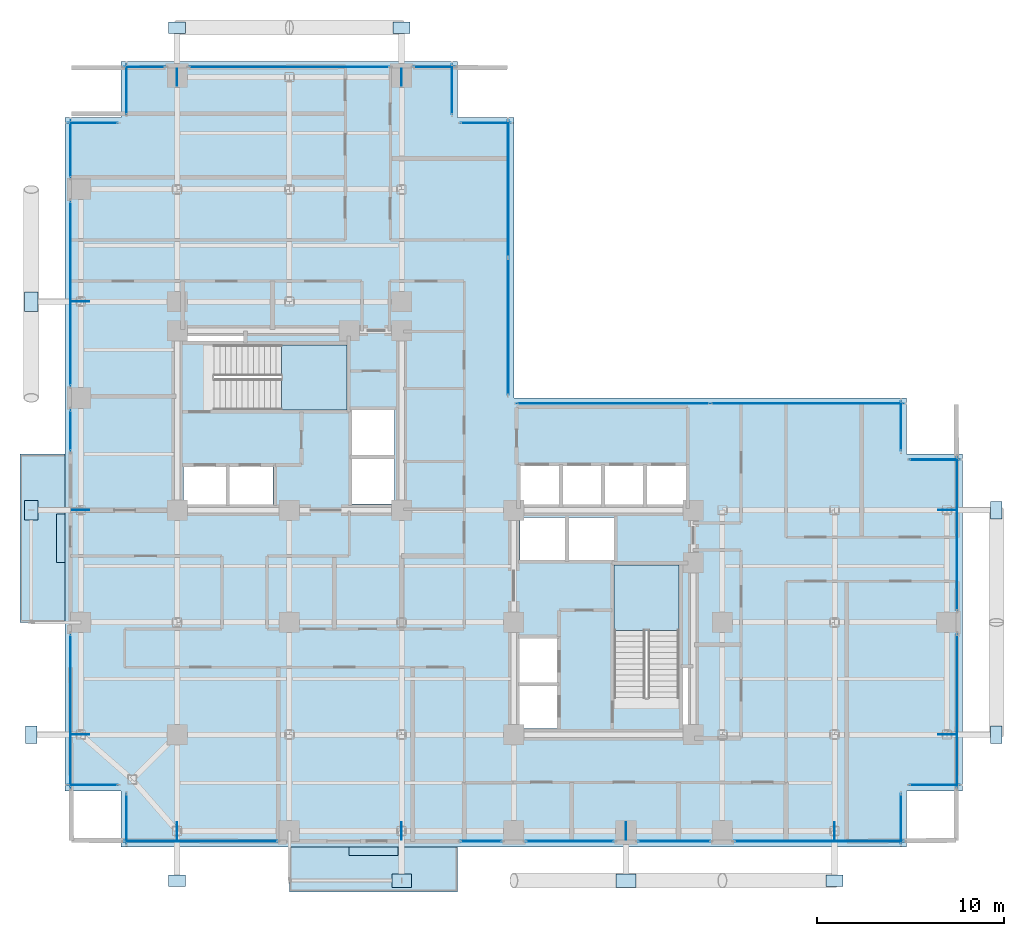
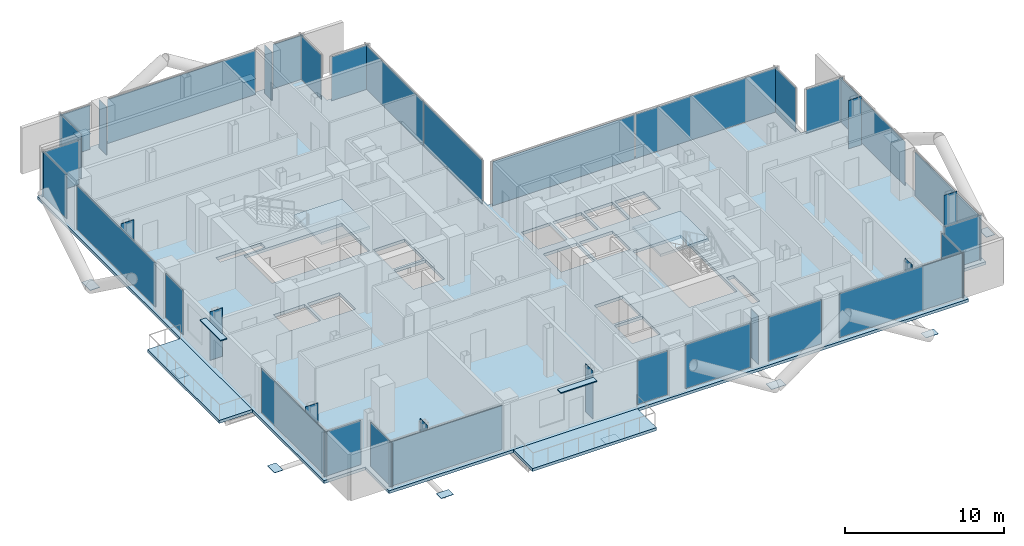
# One storey, part 17 of 24: 52 plates, 5 slabs, 28 elements without a shape of their own.
"""IFC4 building model written with IfcOpenShell, lengths in metres."""

from ifc_helpers import new_model, si_unit, direction, frame, origin, origin_2d, place, context, subcontext, project, spatial, polyline, rectangle, outline, extrude, material, layer, layer_set, type_object, element, aggregate, save


model = new_model("IFC4")

# Units and contexts
model_context = context("Model", 3, precision=1e-05, world=origin(), true_north=direction((0.0, 1.0)))
body_context = subcontext(model_context, "Body", "Model", "MODEL_VIEW")
ifc_project = project(units=[si_unit("LENGTHUNIT", "METRE"), si_unit("AREAUNIT", "SQUARE_METRE"), si_unit("VOLUMEUNIT", "CUBIC_METRE"), si_unit("PLANEANGLEUNIT", "RADIAN"), si_unit("MASSUNIT", "GRAM", prefix="KILO"), si_unit("THERMODYNAMICTEMPERATUREUNIT", "KELVIN"), si_unit("POWERUNIT", "WATT")], contexts=[model_context])

# Site, building, storey
site_placement = place(None, origin())
site = spatial("IfcSite", under=ifc_project, at=site_placement, CompositionType="ELEMENT")
building_placement = place(site_placement, origin())
building = spatial("IfcBuilding", under=site, at=building_placement, Name="Svarakhadi Broadcast Tower", CompositionType="ELEMENT")
storey_placement = place(building_placement, frame((0.0, 0.0, 126.89990234375)))
storey = spatial("IfcBuildingStorey", under=building, at=storey_placement, Name="L30", CompositionType="ELEMENT", Elevation=126.89990234375)

# Curtain wall, plate
ifc_material_1 = material(Name="Anodised Bronze Aluminium AA 6063-T6", Category="aluminium")
ifc_layer_1 = layer(ifc_material_1, 0.199951171875)
ifc_layer_set_1 = layer_set([ifc_layer_1], Name="Anodised Bronze Aluminium AA 6063-T6")
curtain_wall_type = type_object("IfcCurtainWallType", Name="CW_Sys_03", PredefinedType="NOTDEFINED", material=ifc_layer_set_1)
curtain_wall_1_placement = place(storey_placement, origin())
curtain_wall_1 = element("IfcCurtainWall", 1, at=curtain_wall_1_placement, inside=storey, type_object=curtain_wall_type, Name="L30 Unitised Facade Curtain Wall 01", PredefinedType="NOTDEFINED")
ifc_material_2 = material(Name="Double Low-E Laminated Acoustic Glass IGU 36 mm", Category="glass")
ifc_layer_2 = layer(ifc_material_2, 0.035888671875)
ifc_layer_set_2 = layer_set([ifc_layer_2], Name="Double Low-E Laminated Acoustic Glass IGU 36 mm")
plate_type_1 = type_object("IfcPlateType", Name="CW_Sys_03_Pnl", PredefinedType="CURTAIN_PANEL", material=ifc_layer_set_2)
plate_1_placement = place(storey_placement, frame((1.5, 3.300048828125, 0.0703125), z_axis=(0.0, 0.0, 1.0), x_axis=(-1.0, 0.0, 0.0)))
plate_1 = element("IfcPlate", 2, at=plate_1_placement, type_object=plate_type_1, Name="CW-03 panel 1.1", PredefinedType="CURTAIN_PANEL", context=body_context, shape_type="SweptSolid", body=[
    extrude(rectangle(XDim=2.669921875, YDim=0.035888671875, at=origin_2d()), origin(), (0.0, 0.0, 1.0), 3.385009765625),
])
aggregate(curtain_wall_1, [plate_1])

curtain_wall_2_placement = place(storey_placement, origin())
curtain_wall_2 = element("IfcCurtainWall", 3, at=curtain_wall_2_placement, inside=storey, type_object=curtain_wall_type, Name="L30 West Curtain Wall 02", PredefinedType="NOTDEFINED")
plate_2_placement = place(storey_placement, frame((0.300048828125, 7.260009765625, 0.0703125), z_axis=(0.0, 0.0, 1.0), x_axis=(0.0, 1.0, 0.0)))
plate_2 = element("IfcPlate", 4, at=plate_2_placement, type_object=plate_type_1, Name="CW-03 panel 1.1", PredefinedType="CURTAIN_PANEL", context=body_context, shape_type="SweptSolid", body=[
    extrude(rectangle(XDim=8.18994140625, YDim=0.035888671875, at=origin_2d()), origin(), (0.0, 0.0, 1.0), 3.385009765625),
])
aggregate(curtain_wall_2, [plate_2])

curtain_wall_3_placement = place(storey_placement, origin())
curtain_wall_3 = element("IfcCurtainWall", 5, at=curtain_wall_3_placement, inside=storey, type_object=curtain_wall_type, Name="L30 West Curtain Wall 03 Bay 1", PredefinedType="NOTDEFINED")
plate_3_placement = place(storey_placement, frame((0.300048828125, 22.260009765625, 0.0703125), z_axis=(0.0, 0.0, 1.0), x_axis=(0.0, 1.0, 0.0)))
plate_3 = element("IfcPlate", 6, at=plate_3_placement, type_object=plate_type_1, Name="CW-03 panel 1.1", PredefinedType="CURTAIN_PANEL", context=body_context, shape_type="SweptSolid", body=[
    extrude(rectangle(XDim=2.18994140625, YDim=0.035888671875, at=origin_2d()), origin(), (0.0, 0.0, 1.0), 3.385009765625),
])
aggregate(curtain_wall_3, [plate_3])

curtain_wall_4_placement = place(storey_placement, origin())
curtain_wall_4 = element("IfcCurtainWall", 7, at=curtain_wall_4_placement, inside=storey, type_object=curtain_wall_type, Name="L30 West Curtain Wall 03 Bay 2", PredefinedType="NOTDEFINED")
plate_4_placement = place(storey_placement, frame((0.300048828125, 29.574951171875, 0.0703125), z_axis=(0.0, 0.0, 1.0), x_axis=(0.0, 1.0, 0.0)))
plate_4 = element("IfcPlate", 8, at=plate_4_placement, type_object=plate_type_1, Name="CW-03 panel 1.1", PredefinedType="CURTAIN_PANEL", context=body_context, shape_type="SweptSolid", body=[
    extrude(rectangle(XDim=9.860107421875, YDim=0.035888671875, at=origin_2d()), origin(), (0.0, 0.0, 1.0), 3.385009765625),
])
aggregate(curtain_wall_4, [plate_4])

curtain_wall_5_placement = place(storey_placement, origin())
curtain_wall_5 = element("IfcCurtainWall", 9, at=curtain_wall_5_placement, inside=storey, type_object=curtain_wall_type, Name="L30 West Curtain Wall 03 Bay 3", PredefinedType="NOTDEFINED")
plate_5_placement = place(storey_placement, frame((0.300048828125, 37.31494140625, 0.0703125), z_axis=(0.0, 0.0, 1.0), x_axis=(0.0, 1.0, 0.0)))
plate_5 = element("IfcPlate", 10, at=plate_5_placement, type_object=plate_type_1, Name="CW-03 panel 1.1", PredefinedType="CURTAIN_PANEL", context=body_context, shape_type="SweptSolid", body=[
    extrude(rectangle(XDim=3.0400390625, YDim=0.035888671875, at=origin_2d()), origin(), (0.0, 0.0, 1.0), 3.385009765625),
])
aggregate(curtain_wall_5, [plate_5])

curtain_wall_6_placement = place(storey_placement, origin())
curtain_wall_6 = element("IfcCurtainWall", 11, at=curtain_wall_6_placement, inside=storey, type_object=curtain_wall_type, Name="L30 Unitised Facade Curtain Wall 04", PredefinedType="NOTDEFINED")
plate_6_placement = place(storey_placement, frame((1.5, 38.699951171875, 0.0703125), z_axis=(0.0, 0.0, 1.0), x_axis=(1.0, 0.0, 0.0)))
plate_6 = element("IfcPlate", 12, at=plate_6_placement, type_object=plate_type_1, Name="CW-03 panel 1.1", PredefinedType="CURTAIN_PANEL", context=body_context, shape_type="SweptSolid", body=[
    extrude(rectangle(XDim=2.669921875, YDim=0.035888671875, at=origin_2d()), origin(), (0.0, 0.0, 1.0), 3.385009765625),
])
aggregate(curtain_wall_6, [plate_6])

curtain_wall_7_placement = place(storey_placement, origin())
curtain_wall_7 = element("IfcCurtainWall", 13, at=curtain_wall_7_placement, inside=storey, type_object=curtain_wall_type, Name="L30 Unitised Facade Curtain Wall 05", PredefinedType="NOTDEFINED")
plate_7_placement = place(storey_placement, frame((3.300048828125, 40.5, 0.0703125), z_axis=(0.0, 0.0, 1.0), x_axis=(0.0, 1.0, 0.0)))
plate_7 = element("IfcPlate", 14, at=plate_7_placement, type_object=plate_type_1, Name="CW-03 panel 1.1", PredefinedType="CURTAIN_PANEL", context=body_context, shape_type="SweptSolid", body=[
    extrude(rectangle(XDim=2.669921875, YDim=0.035888671875, at=origin_2d()), origin(), (0.0, 0.0, 1.0), 3.385009765625),
])
aggregate(curtain_wall_7, [plate_7])

curtain_wall_8_placement = place(storey_placement, origin())
curtain_wall_8 = element("IfcCurtainWall", 15, at=curtain_wall_8_placement, inside=storey, type_object=curtain_wall_type, Name="L30 Unitised Facade Curtain Wall 06 Bay 1", PredefinedType="NOTDEFINED")
plate_8_placement = place(storey_placement, frame((4.260009765625, 41.699951171875, 0.0703125), z_axis=(0.0, 0.0, 1.0), x_axis=(1.0, 0.0, 0.0)))
plate_8 = element("IfcPlate", 16, at=plate_8_placement, type_object=plate_type_1, Name="CW-03 panel 1.1", PredefinedType="CURTAIN_PANEL", context=body_context, shape_type="SweptSolid", body=[
    extrude(rectangle(XDim=2.18994140625, YDim=0.035888671875, at=origin_2d()), origin(), (0.0, 0.0, 1.0), 3.385009765625),
])
aggregate(curtain_wall_8, [plate_8])

curtain_wall_9_placement = place(storey_placement, origin())
curtain_wall_9 = element("IfcCurtainWall", 17, at=curtain_wall_9_placement, inside=storey, type_object=curtain_wall_type, Name="L30 Unitised Facade Curtain Wall 06 Bay 2", PredefinedType="NOTDEFINED")
plate_9_placement = place(storey_placement, frame((12.0, 41.699951171875, 0.0703125), z_axis=(0.0, 0.0, 1.0), x_axis=(1.0, 0.0, 0.0)))
plate_9 = element("IfcPlate", 18, at=plate_9_placement, type_object=plate_type_1, Name="CW-03 panel 1.1", PredefinedType="CURTAIN_PANEL", context=body_context, shape_type="SweptSolid", body=[
    extrude(rectangle(XDim=10.7099609375, YDim=0.035888671875, at=origin_2d()), origin(), (0.0, 0.0, 1.0), 3.385009765625),
])
aggregate(curtain_wall_9, [plate_9])

curtain_wall_10_placement = place(storey_placement, origin())
curtain_wall_10 = element("IfcCurtainWall", 19, at=curtain_wall_10_placement, inside=storey, type_object=curtain_wall_type, Name="L30 Unitised Facade Curtain Wall 06 Bay 3", PredefinedType="NOTDEFINED")
plate_10_placement = place(storey_placement, frame((19.739990234375, 41.699951171875, 0.0703125), z_axis=(0.0, 0.0, 1.0), x_axis=(1.0, 0.0, 0.0)))
plate_10 = element("IfcPlate", 20, at=plate_10_placement, type_object=plate_type_1, Name="CW-03 panel 1.1", PredefinedType="CURTAIN_PANEL", context=body_context, shape_type="SweptSolid", body=[
    extrude(rectangle(XDim=2.18994140625, YDim=0.035888671875, at=origin_2d()), origin(), (0.0, 0.0, 1.0), 3.385009765625),
])
aggregate(curtain_wall_10, [plate_10])

curtain_wall_11_placement = place(storey_placement, origin())
curtain_wall_11 = element("IfcCurtainWall", 21, at=curtain_wall_11_placement, inside=storey, type_object=curtain_wall_type, Name="L30 Unitised Facade Curtain Wall 07", PredefinedType="NOTDEFINED")
plate_11_placement = place(storey_placement, frame((20.699951171875, 40.5, 0.0703125), z_axis=(0.0, 0.0, 1.0), x_axis=(0.0, -1.0, 0.0)))
plate_11 = element("IfcPlate", 22, at=plate_11_placement, type_object=plate_type_1, Name="CW-03 panel 1.1", PredefinedType="CURTAIN_PANEL", context=body_context, shape_type="SweptSolid", body=[
    extrude(rectangle(XDim=2.669921875, YDim=0.035888671875, at=origin_2d()), origin(), (0.0, 0.0, 1.0), 3.385009765625),
])
aggregate(curtain_wall_11, [plate_11])

curtain_wall_12_placement = place(storey_placement, origin())
curtain_wall_12 = element("IfcCurtainWall", 23, at=curtain_wall_12_placement, inside=storey, type_object=curtain_wall_type, Name="L30 Unitised Facade Curtain Wall 08", PredefinedType="NOTDEFINED")
plate_12_placement = place(storey_placement, frame((22.5, 38.699951171875, 0.0703125), z_axis=(0.0, 0.0, 1.0), x_axis=(1.0, 0.0, 0.0)))
plate_12 = element("IfcPlate", 24, at=plate_12_placement, type_object=plate_type_1, Name="CW-03 panel 1.1", PredefinedType="CURTAIN_PANEL", context=body_context, shape_type="SweptSolid", body=[
    extrude(rectangle(XDim=2.669921875, YDim=0.035888671875, at=origin_2d()), origin(), (0.0, 0.0, 1.0), 3.385009765625),
])
aggregate(curtain_wall_12, [plate_12])

# Curtain wall, plates
curtain_wall_13_placement = place(storey_placement, origin())
curtain_wall_13 = element("IfcCurtainWall", 25, at=curtain_wall_13_placement, inside=storey, type_object=curtain_wall_type, Name="L30 Unitised Facade Curtain Wall 09", PredefinedType="NOTDEFINED")
plate_13_placement = place(storey_placement, frame((23.699951171875, 35.186279296875, 0.0703125), z_axis=(0.0, 0.0, 1.0), x_axis=(0.0, -1.0, 0.0)))
plate_13 = element("IfcPlate", 26, at=plate_13_placement, type_object=plate_type_1, Name="CW-03 panel 1.1", PredefinedType="CURTAIN_PANEL", context=body_context, shape_type="SweptSolid", body=[
    extrude(rectangle(XDim=7.297607421875, YDim=0.035888671875, at=origin_2d()), origin(), (0.0, 0.0, 1.0), 3.385009765625),
])
plate_14_placement = place(storey_placement, frame((23.699951171875, 27.813720703125, 0.0703125), z_axis=(0.0, 0.0, 1.0), x_axis=(0.0, -1.0, 0.0)))
plate_14 = element("IfcPlate", 27, at=plate_14_placement, type_object=plate_type_1, Name="CW-03 panel 2.1", PredefinedType="CURTAIN_PANEL", context=body_context, shape_type="SweptSolid", body=[
    extrude(rectangle(XDim=7.297607421875, YDim=0.035888671875, at=origin_2d()), origin(), (0.0, 0.0, 1.0), 3.385009765625),
])
aggregate(curtain_wall_13, [plate_13, plate_14])

curtain_wall_14_placement = place(storey_placement, origin())
curtain_wall_14 = element("IfcCurtainWall", 28, at=curtain_wall_14_placement, inside=storey, type_object=curtain_wall_type, Name="L30 Unitised Facade Curtain Wall 10", PredefinedType="NOTDEFINED")
plate_15_placement = place(storey_placement, frame((29.313720703125, 23.699951171875, 0.0703125), z_axis=(0.0, 0.0, 1.0), x_axis=(1.0, 0.0, 0.0)))
plate_15 = element("IfcPlate", 29, at=plate_15_placement, type_object=plate_type_1, Name="CW-03 panel 1.1", PredefinedType="CURTAIN_PANEL", context=body_context, shape_type="SweptSolid", body=[
    extrude(rectangle(XDim=10.297607421875, YDim=0.035888671875, at=origin_2d()), origin(), (0.0, 0.0, 1.0), 3.385009765625),
])
plate_16_placement = place(storey_placement, frame((39.686279296875, 23.699951171875, 0.0703125), z_axis=(0.0, 0.0, 1.0), x_axis=(1.0, 0.0, 0.0)))
plate_16 = element("IfcPlate", 30, at=plate_16_placement, type_object=plate_type_1, Name="CW-03 panel 2.1", PredefinedType="CURTAIN_PANEL", context=body_context, shape_type="SweptSolid", body=[
    extrude(rectangle(XDim=10.297607421875, YDim=0.035888671875, at=origin_2d()), origin(), (0.0, 0.0, 1.0), 3.385009765625),
])
aggregate(curtain_wall_14, [plate_15, plate_16])

# Curtain wall, plate
curtain_wall_15_placement = place(storey_placement, origin())
curtain_wall_15 = element("IfcCurtainWall", 31, at=curtain_wall_15_placement, inside=storey, type_object=curtain_wall_type, Name="L30 Unitised Facade Curtain Wall 11", PredefinedType="NOTDEFINED")
plate_17_placement = place(storey_placement, frame((44.699951171875, 22.5, 0.0703125), z_axis=(0.0, 0.0, 1.0), x_axis=(0.0, -1.0, 0.0)))
plate_17 = element("IfcPlate", 32, at=plate_17_placement, type_object=plate_type_1, Name="CW-03 panel 1.1", PredefinedType="CURTAIN_PANEL", context=body_context, shape_type="SweptSolid", body=[
    extrude(rectangle(XDim=2.669921875, YDim=0.035888671875, at=origin_2d()), origin(), (0.0, 0.0, 1.0), 3.385009765625),
])
aggregate(curtain_wall_15, [plate_17])

curtain_wall_16_placement = place(storey_placement, origin())
curtain_wall_16 = element("IfcCurtainWall", 33, at=curtain_wall_16_placement, inside=storey, type_object=curtain_wall_type, Name="L30 Unitised Facade Curtain Wall 12", PredefinedType="NOTDEFINED")
plate_18_placement = place(storey_placement, frame((46.5, 20.699951171875, 0.0703125), z_axis=(0.0, 0.0, 1.0), x_axis=(1.0, 0.0, 0.0)))
plate_18 = element("IfcPlate", 34, at=plate_18_placement, type_object=plate_type_1, Name="CW-03 panel 1.1", PredefinedType="CURTAIN_PANEL", context=body_context, shape_type="SweptSolid", body=[
    extrude(rectangle(XDim=2.669921875, YDim=0.035888671875, at=origin_2d()), origin(), (0.0, 0.0, 1.0), 3.385009765625),
])
aggregate(curtain_wall_16, [plate_18])

curtain_wall_17_placement = place(storey_placement, origin())
curtain_wall_17 = element("IfcCurtainWall", 35, at=curtain_wall_17_placement, inside=storey, type_object=curtain_wall_type, Name="L30 Unitised Facade Curtain Wall 13 Bay 1", PredefinedType="NOTDEFINED")
plate_19_placement = place(storey_placement, frame((47.699951171875, 16.739990234375, 0.0703125), z_axis=(0.0, 0.0, 1.0), x_axis=(0.0, -1.0, 0.0)))
plate_19 = element("IfcPlate", 36, at=plate_19_placement, type_object=plate_type_1, Name="CW-03 panel 1.1", PredefinedType="CURTAIN_PANEL", context=body_context, shape_type="SweptSolid", body=[
    extrude(rectangle(XDim=8.18994140625, YDim=0.035888671875, at=origin_2d()), origin(), (0.0, 0.0, 1.0), 3.385009765625),
])
aggregate(curtain_wall_17, [plate_19])

curtain_wall_18_placement = place(storey_placement, origin())
curtain_wall_18 = element("IfcCurtainWall", 37, at=curtain_wall_18_placement, inside=storey, type_object=curtain_wall_type, Name="L30 Unitised Facade Curtain Wall 13 Bay 2", PredefinedType="NOTDEFINED")
plate_20_placement = place(storey_placement, frame((47.699951171875, 7.260009765625, 0.0703125), z_axis=(0.0, 0.0, 1.0), x_axis=(0.0, -1.0, 0.0)))
plate_20 = element("IfcPlate", 38, at=plate_20_placement, type_object=plate_type_1, Name="CW-03 panel 1.1", PredefinedType="CURTAIN_PANEL", context=body_context, shape_type="SweptSolid", body=[
    extrude(rectangle(XDim=8.18994140625, YDim=0.035888671875, at=origin_2d()), origin(), (0.0, 0.0, 1.0), 3.385009765625),
])
aggregate(curtain_wall_18, [plate_20])

curtain_wall_19_placement = place(storey_placement, origin())
curtain_wall_19 = element("IfcCurtainWall", 39, at=curtain_wall_19_placement, inside=storey, type_object=curtain_wall_type, Name="L30 Unitised Facade Curtain Wall 14", PredefinedType="NOTDEFINED")
plate_21_placement = place(storey_placement, frame((46.5, 3.300048828125, 0.0703125), z_axis=(0.0, 0.0, 1.0), x_axis=(-1.0, 0.0, 0.0)))
plate_21 = element("IfcPlate", 40, at=plate_21_placement, type_object=plate_type_1, Name="CW-03 panel 1.1", PredefinedType="CURTAIN_PANEL", context=body_context, shape_type="SweptSolid", body=[
    extrude(rectangle(XDim=2.669921875, YDim=0.035888671875, at=origin_2d()), origin(), (0.0, 0.0, 1.0), 3.385009765625),
])
aggregate(curtain_wall_19, [plate_21])

curtain_wall_20_placement = place(storey_placement, origin())
curtain_wall_20 = element("IfcCurtainWall", 41, at=curtain_wall_20_placement, inside=storey, type_object=curtain_wall_type, Name="L30 Unitised Facade Curtain Wall 15", PredefinedType="NOTDEFINED")
plate_22_placement = place(storey_placement, frame((44.699951171875, 1.5, 0.0703125), z_axis=(0.0, 0.0, 1.0), x_axis=(0.0, -1.0, 0.0)))
plate_22 = element("IfcPlate", 42, at=plate_22_placement, type_object=plate_type_1, Name="CW-03 panel 1.1", PredefinedType="CURTAIN_PANEL", context=body_context, shape_type="SweptSolid", body=[
    extrude(rectangle(XDim=2.669921875, YDim=0.035888671875, at=origin_2d()), origin(), (0.0, 0.0, 1.0), 3.385009765625),
])
aggregate(curtain_wall_20, [plate_22])

curtain_wall_21_placement = place(storey_placement, origin())
curtain_wall_21 = element("IfcCurtainWall", 43, at=curtain_wall_21_placement, inside=storey, type_object=curtain_wall_type, Name="L30 South Curtain Wall 16 Bay 1", PredefinedType="NOTDEFINED")
plate_23_placement = place(storey_placement, frame((40.31494140625, 0.300048828125, 0.0703125), z_axis=(0.0, 0.0, 1.0), x_axis=(-1.0, 0.0, 0.0)))
plate_23 = element("IfcPlate", 44, at=plate_23_placement, type_object=plate_type_1, Name="CW-03 panel 1.1", PredefinedType="CURTAIN_PANEL", context=body_context, shape_type="SweptSolid", body=[
    extrude(rectangle(XDim=9.0400390625, YDim=0.035888671875, at=origin_2d()), origin(), (0.0, 0.0, 1.0), 3.385009765625),
])
aggregate(curtain_wall_21, [plate_23])

curtain_wall_22_placement = place(storey_placement, origin())
curtain_wall_22 = element("IfcCurtainWall", 45, at=curtain_wall_22_placement, inside=storey, type_object=curtain_wall_type, Name="L30 South Curtain Wall 16 Bay 2", PredefinedType="NOTDEFINED")
plate_24_placement = place(storey_placement, frame((32.574951171875, 0.300048828125, 0.0703125), z_axis=(0.0, 0.0, 1.0), x_axis=(-1.0, 0.0, 0.0)))
plate_24 = element("IfcPlate", 46, at=plate_24_placement, type_object=plate_type_1, Name="CW-03 panel 1.1", PredefinedType="CURTAIN_PANEL", context=body_context, shape_type="SweptSolid", body=[
    extrude(rectangle(XDim=3.860107421875, YDim=0.035888671875, at=origin_2d()), origin(), (0.0, 0.0, 1.0), 3.385009765625),
])
aggregate(curtain_wall_22, [plate_24])

curtain_wall_23_placement = place(storey_placement, origin())
curtain_wall_23 = element("IfcCurtainWall", 47, at=curtain_wall_23_placement, inside=storey, type_object=curtain_wall_type, Name="L30 South Curtain Wall 16 Bay 3", PredefinedType="NOTDEFINED")
plate_25_placement = place(storey_placement, frame((27.0, 0.300048828125, 0.0703125), z_axis=(0.0, 0.0, 1.0), x_axis=(-1.0, 0.0, 0.0)))
plate_25 = element("IfcPlate", 48, at=plate_25_placement, type_object=plate_type_1, Name="CW-03 panel 1.1", PredefinedType="CURTAIN_PANEL", context=body_context, shape_type="SweptSolid", body=[
    extrude(rectangle(XDim=4.7099609375, YDim=0.035888671875, at=origin_2d()), origin(), (0.0, 0.0, 1.0), 3.385009765625),
])
aggregate(curtain_wall_23, [plate_25])

curtain_wall_24_placement = place(storey_placement, origin())
curtain_wall_24 = element("IfcCurtainWall", 49, at=curtain_wall_24_placement, inside=storey, type_object=curtain_wall_type, Name="L30 South Curtain Wall 16 Bay 4", PredefinedType="NOTDEFINED")
plate_26_placement = place(storey_placement, frame((22.260009765625, 0.300048828125, 0.0703125), z_axis=(0.0, 0.0, 1.0), x_axis=(-1.0, 0.0, 0.0)))
plate_26 = element("IfcPlate", 50, at=plate_26_placement, type_object=plate_type_1, Name="CW-03 panel 1.1", PredefinedType="CURTAIN_PANEL", context=body_context, shape_type="SweptSolid", body=[
    extrude(rectangle(XDim=2.18994140625, YDim=0.035888671875, at=origin_2d()), origin(), (0.0, 0.0, 1.0), 3.385009765625),
])
aggregate(curtain_wall_24, [plate_26])

curtain_wall_25_placement = place(storey_placement, origin())
curtain_wall_25 = element("IfcCurtainWall", 51, at=curtain_wall_25_placement, inside=storey, type_object=curtain_wall_type, Name="L30 South Curtain Wall 17", PredefinedType="NOTDEFINED")
plate_27_placement = place(storey_placement, frame((7.260009765625, 0.300048828125, 0.0703125), z_axis=(0.0, 0.0, 1.0), x_axis=(-1.0, 0.0, 0.0)))
plate_27 = element("IfcPlate", 52, at=plate_27_placement, type_object=plate_type_1, Name="CW-03 panel 1.1", PredefinedType="CURTAIN_PANEL", context=body_context, shape_type="SweptSolid", body=[
    extrude(rectangle(XDim=8.18994140625, YDim=0.035888671875, at=origin_2d()), origin(), (0.0, 0.0, 1.0), 3.385009765625),
])
aggregate(curtain_wall_25, [plate_27])

curtain_wall_26_placement = place(storey_placement, origin())
curtain_wall_26 = element("IfcCurtainWall", 53, at=curtain_wall_26_placement, inside=storey, type_object=curtain_wall_type, Name="L30 Unitised Facade Curtain Wall 18", PredefinedType="NOTDEFINED")
plate_28_placement = place(storey_placement, frame((3.300048828125, 1.5, 0.0703125), z_axis=(0.0, 0.0, 1.0), x_axis=(0.0, 1.0, 0.0)))
plate_28 = element("IfcPlate", 54, at=plate_28_placement, type_object=plate_type_1, Name="CW-03 panel 1.1", PredefinedType="CURTAIN_PANEL", context=body_context, shape_type="SweptSolid", body=[
    extrude(rectangle(XDim=2.669921875, YDim=0.035888671875, at=origin_2d()), origin(), (0.0, 0.0, 1.0), 3.385009765625),
])
aggregate(curtain_wall_26, [plate_28])

# Plates
ifc_material_3 = material(Name="Steel S460ML (IS 2062 E450BR)", Category="steel")
ifc_layer_3 = layer(ifc_material_3, 0.031982421875)
ifc_layer_set_3 = layer_set([ifc_layer_3], Name="Steel S460ML (IS 2062 E450BR)")
plate_type_2 = type_object("IfcPlateType", Name="Node_Gusset_N02", PredefinedType="SHEET", material=ifc_layer_set_3)
for number, where, z_axis, x_axis, name in (
    (55, (18.0, -1.800048828125, -0.22509765625), (0.0, 0.0, 1.0), (1.0, 0.0, 0.0), "L30 Exoskeleton Gusset Node Plate S02"),
    (56, (30.0, -1.800048828125, -0.22509765625), (0.0, 0.0, 1.0), (1.0, 0.0, 0.0), "L30 Exoskeleton Gusset Node Plate S03"),
    (57, (-1.800048828125, 18.0, -0.22509765625), (0.0, 0.0, 1.0), (0.0, 1.0, 0.0), "L30 Exoskeleton Gusset Node Plate W06"),
    (58, (-1.800048828125, 29.14990234375, -0.22509765625), (0.0, 0.0, 1.0), (0.0, 1.0, 0.0), "L30 Exoskeleton Gusset Node Plate W07"),
):
    element("IfcPlate", number, at=place(storey_placement, frame(where, z_axis=z_axis, x_axis=x_axis)), inside=storey, type_object=plate_type_2, Name=name, PredefinedType="SHEET", context=body_context, shape_type="SweptSolid", body=[
        extrude(rectangle(XDim=1.050048828125, YDim=0.719970703125, at=origin_2d()), origin(), (0.0, 0.0, 1.0), 0.031982421875),
    ])
ifc_layer_4 = layer(ifc_material_3, 0.02587890625)
ifc_layer_set_4 = layer_set([ifc_layer_4], Name="Steel S460ML (IS 2062 E450BR)")
plate_type_3 = type_object("IfcPlateType", Name="Node_Gusset_N07", PredefinedType="SHEET", material=ifc_layer_set_4)
for number, where, z_axis, x_axis, name in (
    (59, (6.0, -1.800048828125, -0.224853515625), (0.0, 0.0, 1.0), (1.0, 0.0, 0.0), "L30 Exoskeleton Gusset Node Plate S01"),
    (60, (41.14990234375, -1.800048828125, -0.224853515625), (0.0, 0.0, 1.0), (1.0, 0.0, 0.0), "L30 Exoskeleton Gusset Node Plate S04"),
    (61, (-1.800048828125, 6.0, -0.224853515625), (0.0, 0.0, 1.0), (0.0, 1.0, 0.0), "L30 Exoskeleton Gusset Node Plate W05"),
    (62, (49.800048828125, 6.0, -0.224853515625), (0.0, 0.0, 1.0), (0.0, 1.0, 0.0), "L30 Exoskeleton Gusset Node Plate E08"),
    (63, (49.800048828125, 18.0, -0.224853515625), (0.0, 0.0, 1.0), (0.0, 1.0, 0.0), "L30 Exoskeleton Gusset Node Plate E09"),
    (64, (6.0, 43.800048828125, -0.224853515625), (0.0, 0.0, 1.0), (1.0, 0.0, 0.0), "L30 Exoskeleton Gusset Node Plate N10"),
    (65, (18.0, 43.800048828125, -0.224853515625), (0.0, 0.0, 1.0), (1.0, 0.0, 0.0), "L30 Exoskeleton Gusset Node Plate N11"),
):
    element("IfcPlate", number, at=place(storey_placement, frame(where, z_axis=z_axis, x_axis=x_axis)), inside=storey, type_object=plate_type_3, Name=name, PredefinedType="SHEET", context=body_context, shape_type="SweptSolid", body=[
        extrude(rectangle(XDim=0.919921875, YDim=0.6201171875, at=origin_2d()), origin(), (0.0, 0.0, 1.0), 0.02587890625),
    ])
for number, where, z_axis, x_axis, name in (
    (66, (6.0, 0.85009765625, -0.5869140625), (0.0, 0.0, 1.0), (0.0, 1.0, 0.0), "L30 Brace End Connection Gusset Plate N-07-E0242"),
    (67, (18.0, 0.85009765625, -0.5869140625), (0.0, 0.0, 1.0), (0.0, 1.0, 0.0), "L30 Brace End Connection Gusset Plate N-07-E0243"),
    (68, (30.0, 0.85009765625, -0.5869140625), (0.0, 0.0, 1.0), (0.0, 1.0, 0.0), "L30 Brace End Connection Gusset Plate N-07-E0244"),
    (69, (41.14990234375, 0.85009765625, -0.5869140625), (0.0, 0.0, 1.0), (0.0, 1.0, 0.0), "L30 Brace End Connection Gusset Plate N-07-E0245"),
    (70, (0.85009765625, 6.0, -0.5869140625), (0.0, 0.0, 1.0), (1.0, 0.0, 0.0), "L30 Brace End Connection Gusset Plate N-07-E0246"),
    (71, (0.85009765625, 18.0, -0.5869140625), (0.0, 0.0, 1.0), (1.0, 0.0, 0.0), "L30 Brace End Connection Gusset Plate N-07-E0247"),
    (72, (0.85009765625, 29.14990234375, -0.5869140625), (0.0, 0.0, 1.0), (1.0, 0.0, 0.0), "L30 Brace End Connection Gusset Plate N-07-E0248"),
    (73, (47.14990234375, 6.0, -0.5869140625), (0.0, 0.0, 1.0), (1.0, 0.0, 0.0), "L30 Brace End Connection Gusset Plate N-07-E0249"),
    (74, (47.14990234375, 18.0, -0.5869140625), (0.0, 0.0, 1.0), (1.0, 0.0, 0.0), "L30 Brace End Connection Gusset Plate N-07-E0250"),
    (75, (6.0, 41.14990234375, -0.5869140625), (0.0, 0.0, 1.0), (0.0, 1.0, 0.0), "L30 Brace End Connection Gusset Plate N-07-E0251"),
    (76, (18.0, 41.14990234375, -0.5869140625), (0.0, 0.0, 1.0), (0.0, 1.0, 0.0), "L30 Brace End Connection Gusset Plate N-07-E0252"),
):
    element("IfcPlate", number, at=place(storey_placement, frame(where, z_axis=z_axis, x_axis=x_axis)), inside=storey, type_object=plate_type_3, Name=name, PredefinedType="SHEET", context=body_context, shape_type="SweptSolid", body=[
        extrude(rectangle(XDim=0.919921875, YDim=0.02587890625, at=origin_2d()), origin(), (0.0, 0.0, 1.0), 4.300048828125),
    ])

# Slab
ifc_material_4 = material(Name="Concrete C40/50 (IS 456 M50)", Category="concrete")
ifc_layer_5 = layer(ifc_material_4, 0.22509765625)
ifc_layer_set_5 = layer_set([ifc_layer_5], Name="Concrete C40/50 (IS 456 M50)")
slab_type_1 = type_object("IfcSlabType", Name="Slab_Floor_225", PredefinedType="FLOOR", material=ifc_layer_set_5)
slab_1_placement = place(storey_placement, frame((0.0, 0.0, -0.224853515625)))
element("IfcSlab", 77, at=slab_1_placement, inside=storey, type_object=slab_type_1, Name="L30 Structural Floor Slab", PredefinedType="FLOOR", context=body_context, shape_type="SweptSolid", body=[
    extrude(outline(polyline([(3.0, 0.0), (45.0, 0.0), (45.0, 3.0), (48.0, 3.0), (48.0, 21.0), (45.0, 21.0), (45.0, 24.0), (24.0, 24.0), (24.0, 39.0), (21.0, 39.0), (21.0, 42.0), (3.0, 42.0), (3.0, 39.0), (0.0, 39.0), (0.0, 3.0), (3.0, 3.0), (3.0, 0.0)]), holes=[polyline([(7.97998046875, 23.360107421875), (15.080078125, 23.360107421875), (15.080078125, 26.840087890625), (7.97998046875, 26.840087890625), (7.97998046875, 23.360107421875)]), polyline([(32.840087890625, 7.97998046875), (32.840087890625, 15.080078125), (29.360107421875, 15.080078125), (29.360107421875, 7.97998046875), (32.840087890625, 7.97998046875)]), polyline([(6.340087890625, 18.2900390625), (8.610107421875, 18.2900390625), (8.610107421875, 20.330078125), (6.340087890625, 20.330078125), (6.340087890625, 18.2900390625)]), polyline([(8.7900390625, 18.2900390625), (11.1298828125, 18.2900390625), (11.1298828125, 20.330078125), (8.7900390625, 20.330078125), (8.7900390625, 18.2900390625)]), polyline([(24.2900390625, 6.340087890625), (26.330078125, 6.340087890625), (26.330078125, 8.610107421875), (24.2900390625, 8.610107421875), (24.2900390625, 6.340087890625)]), polyline([(24.2900390625, 8.7900390625), (26.330078125, 8.7900390625), (26.330078125, 11.1298828125), (24.2900390625, 11.1298828125), (24.2900390625, 8.7900390625)]), polyline([(6.340087890625, 26.989990234375), (9.610107421875, 26.989990234375), (9.610107421875, 27.530029296875), (6.340087890625, 27.530029296875), (6.340087890625, 26.989990234375)]), polyline([(32.989990234375, 6.340087890625), (33.530029296875, 6.340087890625), (33.530029296875, 9.610107421875), (32.989990234375, 9.610107421875), (32.989990234375, 6.340087890625)]), polyline([(15.340087890625, 18.340087890625), (17.610107421875, 18.340087890625), (17.610107421875, 20.760009765625), (15.340087890625, 20.760009765625), (15.340087890625, 18.340087890625)]), polyline([(15.340087890625, 20.93994140625), (17.610107421875, 20.93994140625), (17.610107421875, 23.360107421875), (15.340087890625, 23.360107421875), (15.340087890625, 20.93994140625)]), polyline([(24.340087890625, 15.340087890625), (26.760009765625, 15.340087890625), (26.760009765625, 17.610107421875), (24.340087890625, 17.610107421875), (24.340087890625, 15.340087890625)]), polyline([(26.93994140625, 15.340087890625), (29.360107421875, 15.340087890625), (29.360107421875, 17.610107421875), (26.93994140625, 17.610107421875), (26.93994140625, 15.340087890625)]), polyline([(24.340087890625, 18.239990234375), (26.429931640625, 18.239990234375), (26.429931640625, 20.360107421875), (24.340087890625, 20.360107421875), (24.340087890625, 18.239990234375)]), polyline([(26.610107421875, 18.239990234375), (28.679931640625, 18.239990234375), (28.679931640625, 20.360107421875), (26.610107421875, 20.360107421875), (26.610107421875, 18.239990234375)]), polyline([(28.860107421875, 18.239990234375), (30.929931640625, 18.239990234375), (30.929931640625, 20.360107421875), (28.860107421875, 20.360107421875), (28.860107421875, 18.239990234375)]), polyline([(31.110107421875, 18.239990234375), (33.2099609375, 18.239990234375), (33.2099609375, 20.360107421875), (31.110107421875, 20.360107421875), (31.110107421875, 18.239990234375)])]), origin(), (0.0, 0.0, 1.0), 0.224853515625),
])

# Stair, slab
stair_type = type_object("IfcStairType", Name="Stair_Exit_Core", PredefinedType="HALF_TURN_STAIR", material=ifc_material_4)
stair_1_placement = place(storey_placement, origin())
stair_1 = element("IfcStair", 78, at=stair_1_placement, inside=storey, type_object=stair_type, Name="L30 West Core Protected Exit Stair ST-01", PredefinedType="HALF_TURN_STAIR")
ifc_layer_6 = layer(ifc_material_4, 0.199951171875)
ifc_layer_set_6 = layer_set([ifc_layer_6], Name="Concrete C40/50 (IS 456 M50)")
slab_type_2 = type_object("IfcSlabType", Name="Slab_Stair_Land", PredefinedType="LANDING", material=ifc_layer_set_6)
slab_2_placement = place(storey_placement, frame((0.0, 0.0, 1.675048828125)))
slab_2 = element("IfcSlab", 79, at=slab_2_placement, type_object=slab_type_2, Name="ST-01 landing 1", PredefinedType="LANDING", context=body_context, shape_type="SweptSolid", body=[
    extrude(outline(polyline([(11.580078125, 23.360107421875), (15.080078125, 23.360107421875), (15.080078125, 26.840087890625), (11.580078125, 26.840087890625), (11.580078125, 23.360107421875)])), origin(), (0.0, 0.0, 1.0), 0.199951171875),
])
aggregate(stair_1, [slab_2])

stair_2_placement = place(storey_placement, origin())
stair_2 = element("IfcStair", 80, at=stair_2_placement, inside=storey, type_object=stair_type, Name="L30 East Core Protected Exit Stair ST-02", PredefinedType="HALF_TURN_STAIR")
slab_3_placement = place(storey_placement, frame((0.0, 0.0, 1.675048828125)))
slab_3 = element("IfcSlab", 81, at=slab_3_placement, type_object=slab_type_2, Name="ST-02 landing 1", PredefinedType="LANDING", context=body_context, shape_type="SweptSolid", body=[
    extrude(outline(polyline([(32.840087890625, 11.580078125), (32.840087890625, 15.080078125), (29.360107421875, 15.080078125), (29.360107421875, 11.580078125), (32.840087890625, 11.580078125)])), origin(), (0.0, 0.0, 1.0), 0.199951171875),
])
aggregate(stair_2, [slab_3])

# Slabs
ifc_layer_7 = layer(ifc_material_4, 0.22509765625)
ifc_layer_set_7 = layer_set([ifc_layer_7], Name="Concrete C40/50 (IS 456 M50)")
slab_type_3 = type_object("IfcSlabType", Name="Slab_TreeBalcony", PredefinedType="FLOOR", material=ifc_layer_set_7)
slab_4_placement = place(storey_placement, frame((0.0, 0.0, -0.224853515625)))
element("IfcSlab", 82, at=slab_4_placement, inside=storey, type_object=slab_type_3, Name="L30 Planted Tree Balcony Slab BAL-S", PredefinedType="FLOOR", context=body_context, shape_type="SweptSolid", body=[
    extrude(outline(polyline([(12.0, -2.39990234375), (21.0, -2.39990234375), (21.0, 0.0), (12.0, 0.0), (12.0, -2.39990234375)])), origin(), (0.0, 0.0, 1.0), 0.224853515625),
])
slab_5_placement = place(storey_placement, frame((0.0, 0.0, -0.224853515625)))
element("IfcSlab", 83, at=slab_5_placement, inside=storey, type_object=slab_type_3, Name="L30 Planted Tree Balcony Slab BAL-W", PredefinedType="FLOOR", context=body_context, shape_type="SweptSolid", body=[
    extrude(outline(polyline([(-2.39990234375, 12.0), (0.0, 12.0), (0.0, 21.0), (-2.39990234375, 21.0), (-2.39990234375, 12.0)])), origin(), (0.0, 0.0, 1.0), 0.224853515625),
])

# Plates
ifc_layer_8 = layer(ifc_material_1, 0.080078125)
ifc_layer_set_8 = layer_set([ifc_layer_8], Name="Anodised Bronze Aluminium AA 6063-T6")
plate_type_4 = type_object("IfcPlateType", Name="Sunshade_Fin_SS01", PredefinedType="USERDEFINED", material=ifc_layer_set_8)
for number, where, z_axis, x_axis, name in (
    (84, (16.5, -0.22509765625, 3.445068359375), (0.0, 0.0, 1.0), (1.0, 0.0, 0.0), "L30 South Bronze Brise-Soleil Sunshade SS-01"),
    (85, (-0.22509765625, 16.5, 3.445068359375), (0.0, 0.0, 1.0), (0.0, 1.0, 0.0), "L30 West Bronze Brise-Soleil Sunshade SS-01"),
):
    element("IfcPlate", number, at=place(storey_placement, frame(where, z_axis=z_axis, x_axis=x_axis)), inside=storey, type_object=plate_type_4, Name=name, ObjectType="SUNSHADE", PredefinedType="USERDEFINED", context=body_context, shape_type="SweptSolid", body=[
        extrude(rectangle(XDim=2.60009765625, YDim=0.449951171875, at=origin_2d()), origin(), (0.0, 0.0, 1.0), 0.080078125),
    ])

save(model, "model.ifc")
